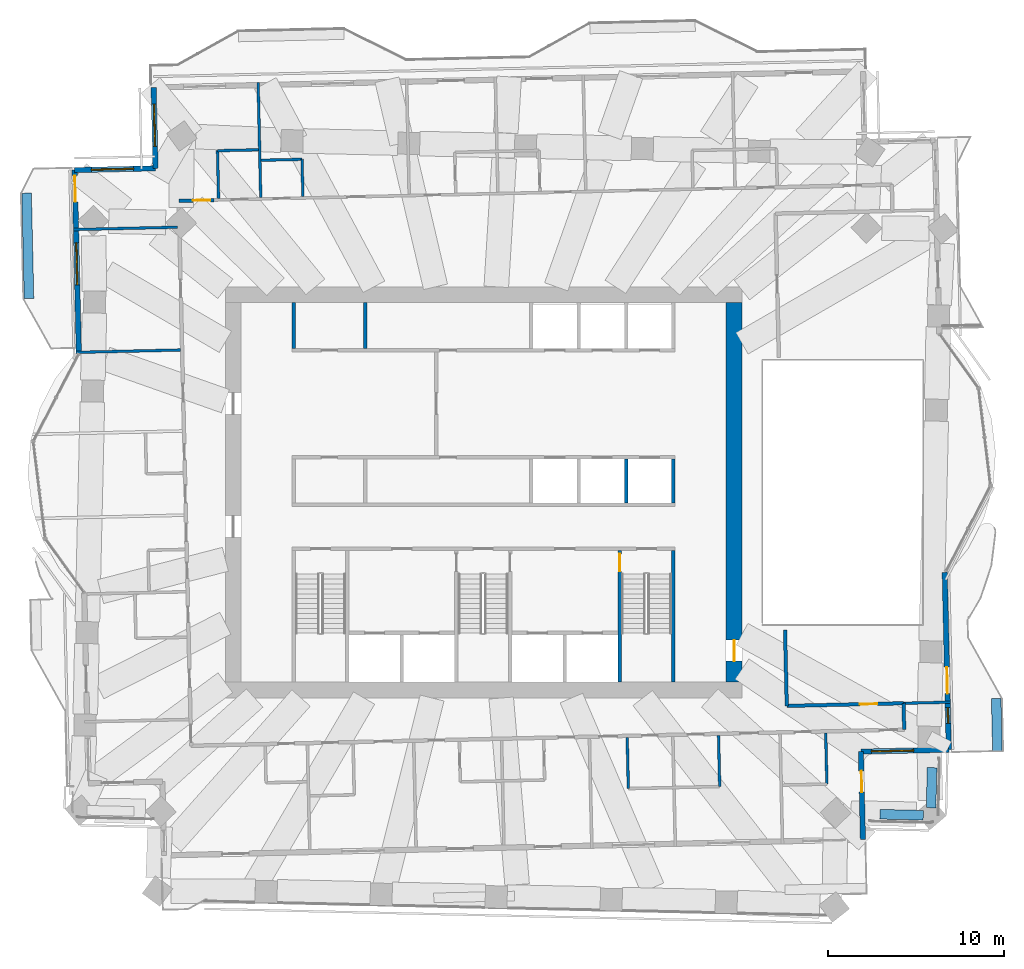
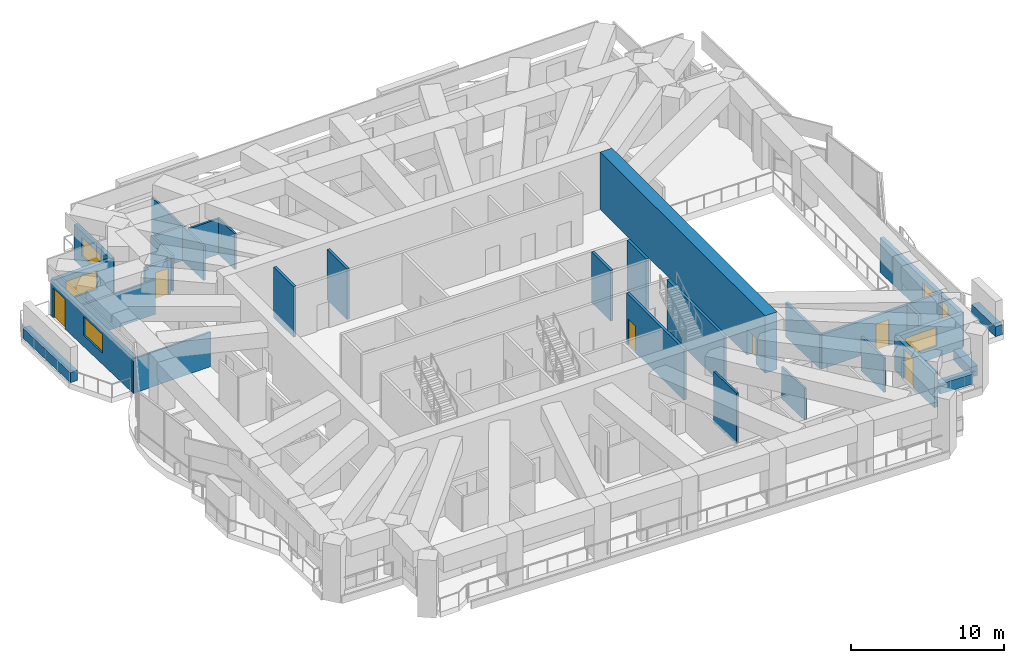
# One storey, part 11 of 17: 32 walls, 7 doors, 5 windows, 12 openings.
"""IFC4 building model written with IfcOpenShell, lengths in metres."""

from ifc_helpers import new_model, si_unit, direction, frame, frame_2d, origin, place, context, subcontext, project, spatial, rectangle, extrude, material, layer, layer_set, type_object, element, fill, save


model = new_model("IFC4")

# Units and contexts
model_context = context("Model", 3, precision=1e-05, world=origin(), true_north=direction((0.0, 1.0)))
body_context = subcontext(model_context, "Body", "Model", "MODEL_VIEW")
ifc_project = project(units=[si_unit("LENGTHUNIT", "METRE"), si_unit("AREAUNIT", "SQUARE_METRE"), si_unit("VOLUMEUNIT", "CUBIC_METRE"), si_unit("PLANEANGLEUNIT", "RADIAN"), si_unit("MASSUNIT", "GRAM", prefix="KILO")], contexts=[model_context])

# Site, building, storey
site_placement = place(None, origin())
site = spatial("IfcSite", under=ifc_project, at=site_placement, CompositionType="ELEMENT")
building_placement = place(site_placement, origin())
building = spatial("IfcBuilding", under=site, at=building_placement, Name="Mangrove Gate Tower", CompositionType="ELEMENT")
storey_placement = place(building_placement, frame((0.0, 0.0, 170.699951171875)))
storey = spatial("IfcBuildingStorey", under=building, at=storey_placement, Name="L43", CompositionType="ELEMENT", Elevation=170.699951171875)

# Walls
ifc_material_1 = material(Name="Concrete C32/40", Category="concrete")
ifc_layer_1 = layer(ifc_material_1, 0.199951171875)
ifc_layer_set_1 = layer_set([ifc_layer_1], Name="Core room wall 200 C32/40")
wall_type_1 = type_object("IfcWallType", Name="Core room wall 200 C32/40", PredefinedType="STANDARD", material=ifc_layer_set_1)
for number, where, z_axis, x_axis, name in (
    (1, (-10.800048828125, 8.199951171875, 0.0), (0.0, 0.0, 1.0), (0.0, 1.0, 0.0), "WALL-L43-CORE-25"),
    (2, (-6.75, 8.199951171875, 0.0), (0.0, 0.0, 1.0), (0.0, 1.0, 0.0), "WALL-L43-CORE-26"),
):
    element("IfcWall", number, at=place(storey_placement, frame(where, z_axis=z_axis, x_axis=x_axis)), inside=storey, type_object=wall_type_1, Name=name, PredefinedType="STANDARD", context=body_context, shape_type="SweptSolid", body=[
        extrude(rectangle(XDim=2.60009765625, YDim=0.199951171875, at=frame_2d((1.300048828125, 0.0))), origin(), (0.0, 0.0, 1.0), 4.050048828125),
    ])
ifc_material_2 = material(Name="Concrete C60/75", Category="concrete")
ifc_layer_2 = layer(ifc_material_2, 0.199951171875)
ifc_layer_set_2 = layer_set([ifc_layer_2], Name="Core shaft wall 200 C60/75")
wall_type_2 = type_object("IfcWallType", Name="Core shaft wall 200 C60/75", PredefinedType="SHEAR", material=ifc_layer_set_2)
for number, where, z_axis, x_axis, name in (
    (3, (8.10009765625, -0.60009765625, 0.0), (0.0, 0.0, 1.0), (0.0, 1.0, 0.0), "WALL-L43-CORE-23"),
    (4, (10.800048828125, -0.60009765625, 0.0), (0.0, 0.0, 1.0), (0.0, 1.0, 0.0), "WALL-L43-CORE-24"),
):
    element("IfcWall", number, at=place(storey_placement, frame(where, z_axis=z_axis, x_axis=x_axis)), inside=storey, type_object=wall_type_2, Name=name, PredefinedType="SHEAR", context=body_context, shape_type="SweptSolid", body=[
        extrude(rectangle(XDim=2.5, YDim=0.199951171875, at=frame_2d((1.25, 0.0))), origin(), (0.0, 0.0, 1.0), 4.050048828125),
    ])

# Wall, opening, door
ifc_material_3 = material(Name="Concrete C60/75", Category="concrete")
ifc_layer_3 = layer(ifc_material_3, 0.199951171875)
ifc_layer_set_3 = layer_set([ifc_layer_3], Name="Core stair wall 200 C60/75")
wall_type_3 = type_object("IfcWallType", Name="Core stair wall 200 C60/75", PredefinedType="SHEAR", material=ifc_layer_set_3)
wall_1_placement = place(storey_placement, frame((7.75, -10.800048828125, 0.0), z_axis=(0.0, 0.0, 1.0), x_axis=(0.0, 1.0, 0.0)))
wall_1 = element("IfcWall", 5, at=wall_1_placement, inside=storey, type_object=wall_type_3, Name="WALL-L43-CORE-13", PredefinedType="SHEAR", context=body_context, shape_type="SweptSolid", body=[
    extrude(rectangle(XDim=7.5, YDim=0.199951171875, at=frame_2d((3.75, 0.0))), origin(), (0.0, 0.0, 1.0), 4.050048828125),
])
opening_1_placement = place(wall_1_placement, frame((6.300048828125, 0.0, 0.0)))
opening_1 = element("IfcOpeningElement", 6, at=opening_1_placement, cuts=wall_1, Name="Opening STD10", PredefinedType="OPENING", context=body_context, shape_type="SweptSolid", body=[
    extrude(rectangle(XDim=1.0, YDim=2.10009765625, at=frame_2d((0.5, 1.050048828125))), frame((0.0, 0.10986328125, 0.0), z_axis=(0.0, -1.0, 0.0), x_axis=(1.0, 0.0, 0.0)), (0.0, 0.0, 1.0), 0.219970703125),
])
ifc_material_4 = material(Name="Fire-rated steel door set", Category="steel")
door_type_1 = type_object("IfcDoorType", Name="Stair door FD60 1000x2100", OperationType="SINGLE_SWING_RIGHT", PredefinedType="DOOR", material=ifc_material_4)
door_1_placement = place(opening_1_placement, origin())
door_1 = element("IfcDoor", 7, at=door_1_placement, inside=storey, type_object=door_type_1, Name="Stair door Stair 3 from fire-fighting lobby", OperationType="SINGLE_SWING_RIGHT", OverallHeight=2.10009765625, OverallWidth=1.0, PredefinedType="DOOR", context=body_context, shape_type="SweptSolid", body=[
    extrude(rectangle(XDim=1.0, YDim=2.10009765625, at=frame_2d((0.5, 1.050048828125))), frame((0.0, 0.02490234375, 0.0), z_axis=(0.0, -1.0, 0.0), x_axis=(1.0, 0.0, 0.0)), (0.0, 0.0, 1.0), 0.050048828125),
])
fill(opening_1, door_1)

# Wall
wall_2_placement = place(storey_placement, frame((10.800048828125, -10.800048828125, 0.0), z_axis=(0.0, 0.0, 1.0), x_axis=(0.0, 1.0, 0.0)))
element("IfcWall", 8, at=wall_2_placement, inside=storey, type_object=wall_type_3, Name="WALL-L43-CORE-14", PredefinedType="SHEAR", context=body_context, shape_type="SweptSolid", body=[
    extrude(rectangle(XDim=7.5, YDim=0.199951171875, at=frame_2d((3.75, 0.0))), origin(), (0.0, 0.0, 1.0), 4.050048828125),
])

# Wall, opening, door
ifc_material_5 = material(Name="Concrete C60/75", Category="concrete")
ifc_layer_4 = layer(ifc_material_5, 0.89990234375)
ifc_layer_set_4 = layer_set([ifc_layer_4], Name="Core wall 900 C60/75")
wall_type_4 = type_object("IfcWallType", Name="Core wall 900 C60/75", PredefinedType="SHEAR", material=ifc_layer_set_4)
wall_3_placement = place(storey_placement, frame((14.25, -10.800048828125, 0.0), z_axis=(0.0, 0.0, 1.0), x_axis=(0.0, 1.0, 0.0)))
wall_3 = element("IfcWall", 9, at=wall_3_placement, inside=storey, type_object=wall_type_4, Name="WALL-L43-CORE-4", PredefinedType="SHEAR", context=body_context, shape_type="SweptSolid", body=[
    extrude(rectangle(XDim=21.60009765625, YDim=0.89990234375, at=frame_2d((10.800048828125, 0.0))), origin(), (0.0, 0.0, 1.0), 4.60009765625),
])
opening_2_placement = place(wall_3_placement, frame((1.199951171875, 0.0, 0.0)))
opening_2 = element("IfcOpeningElement", 10, at=opening_2_placement, cuts=wall_3, Name="Opening CD", PredefinedType="OPENING", context=body_context, shape_type="SweptSolid", body=[
    extrude(rectangle(XDim=1.199951171875, YDim=2.10009765625, at=frame_2d((0.60009765625, 1.050048828125))), frame((0.0, 0.4599609375, 0.0), z_axis=(0.0, -1.0, 0.0), x_axis=(1.0, 0.0, 0.0)), (0.0, 0.0, 1.0), 0.919921875),
])
ifc_material_6 = material(Name="Fire-rated steel door set", Category="steel")
door_type_2 = type_object("IfcDoorType", Name="Core ring door FD60 1200x2100", OperationType="DOUBLE_DOOR_SINGLE_SWING", PredefinedType="DOOR", material=ifc_material_6)
door_2_placement = place(opening_2_placement, origin())
door_2 = element("IfcDoor", 11, at=door_2_placement, inside=storey, type_object=door_type_2, Name="Core ring door E1", OperationType="DOUBLE_DOOR_SINGLE_SWING", OverallHeight=2.10009765625, OverallWidth=1.199951171875, PredefinedType="DOOR", context=body_context, shape_type="SweptSolid", body=[
    extrude(rectangle(XDim=1.199951171875, YDim=2.10009765625, at=frame_2d((0.60009765625, 1.050048828125))), frame((0.0, 0.02490234375, 0.0), z_axis=(0.0, -1.0, 0.0), x_axis=(1.0, 0.0, 0.0)), (0.0, 0.0, 1.0), 0.050048828125),
])
fill(opening_2, door_2)

# Walls
ifc_material_7 = material(Name="Gypsum board on steel stud, EI 60", Category="steel")
ifc_layer_5 = layer(ifc_material_7, 0.199951171875)
ifc_layer_set_5 = layer_set([ifc_layer_5], Name="Corridor wall EI 60")
wall_type_5 = type_object("IfcWallType", Name="Corridor wall EI 60", PredefinedType="PARTITIONING", material=ifc_layer_set_5)
wall_4_placement = place(storey_placement, frame((23.928955078125, -13.4970703125, 0.0), z_axis=(0.0, 0.0, 1.0), x_axis=(-0.022632637625, 0.99974384905, 0.0)))
element("IfcWall", 12, at=wall_4_placement, inside=storey, type_object=wall_type_5, Name="WALL-L43-021", PredefinedType="PARTITIONING", context=body_context, shape_type="SweptSolid", body=[
    extrude(rectangle(XDim=1.49951171875, YDim=0.199951171875, at=frame_2d((0.749755859375, 0.0))), origin(), (0.0, 0.0, 1.0), 2.75),
])
wall_5_placement = place(storey_placement, frame((17.2470703125, -12.14892578125, 0.0), z_axis=(0.0, 0.0, 1.0), x_axis=(-0.022729111383, 0.999741660378, 0.0)))
element("IfcWall", 13, at=wall_5_placement, inside=storey, type_object=wall_type_5, Name="WALL-L43-023", PredefinedType="PARTITIONING", context=body_context, shape_type="SweptSolid", body=[
    extrude(rectangle(XDim=4.318115234375, YDim=0.199951171875, at=frame_2d((2.1591796875, 0.0))), origin(), (0.0, 0.0, 1.0), 2.75),
])

# Wall, opening, door
wall_6_placement = place(storey_placement, frame((17.248046875, -12.14892578125, 0.0), z_axis=(0.0, 0.0, 1.0), x_axis=(0.999742706457, 0.022683052816, 0.0)))
wall_6 = element("IfcWall", 14, at=wall_6_placement, inside=storey, type_object=wall_type_5, Name="WALL-L43-024", PredefinedType="PARTITIONING", context=body_context, shape_type="SweptSolid", body=[
    extrude(rectangle(XDim=6.651611328125, YDim=0.199951171875, at=frame_2d((3.32568359375, 0.0))), origin(), (0.0, 0.0, 1.0), 2.75),
])
opening_3_placement = place(wall_6_placement, frame((4.155029296875, 0.0, 0.0)))
opening_3 = element("IfcOpeningElement", 15, at=opening_3_placement, cuts=wall_6, Name="Opening AD", PredefinedType="OPENING", context=body_context, shape_type="SweptSolid", body=[
    extrude(rectangle(XDim=1.0, YDim=2.10009765625, at=frame_2d((0.5, 1.050048828125))), frame((0.0, 0.10986328125, 0.0), z_axis=(0.0, -1.0, 0.0), x_axis=(1.0, 0.0, 0.0)), (0.0, 0.0, 1.0), 0.219970703125),
])
ifc_material_8 = material(Name="Timber door leaf", Category="wood")
door_type_3 = type_object("IfcDoorType", Name="Amenity door 1000", OperationType="SINGLE_SWING_LEFT", PredefinedType="DOOR", material=ifc_material_8)
door_3_placement = place(opening_3_placement, origin())
door_3 = element("IfcDoor", 16, at=door_3_placement, inside=storey, type_object=door_type_3, Name="DOOR-L43-GAM-c3a", OperationType="SINGLE_SWING_RIGHT", OverallHeight=2.10009765625, OverallWidth=1.0, PredefinedType="DOOR", context=body_context, shape_type="SweptSolid", body=[
    extrude(rectangle(XDim=1.0, YDim=2.10009765625, at=frame_2d((0.5, 1.050048828125))), frame((0.0, 0.02490234375, 0.0), z_axis=(0.0, -1.0, 0.0), x_axis=(1.0, 0.0, 0.0)), (0.0, 0.0, 1.0), 0.050048828125),
])
fill(opening_3, door_3)

wall_7_placement = place(storey_placement, frame((-17.34912109375, 16.593994140625, 0.0), z_axis=(0.0, 0.0, 1.0), x_axis=(0.999748401469, 0.02243064332, 0.0)))
wall_7 = element("IfcWall", 17, at=wall_7_placement, inside=storey, type_object=wall_type_5, Name="WALL-L43-041", PredefinedType="PARTITIONING", context=body_context, shape_type="SweptSolid", body=[
    extrude(rectangle(XDim=2.002685546875, YDim=0.199951171875, at=frame_2d((1.00146484375, 0.0))), origin(), (0.0, 0.0, 1.0), 2.75),
])
opening_4_placement = place(wall_7_placement, frame((0.802001953125, 0.0, 0.0)))
opening_4 = element("IfcOpeningElement", 18, at=opening_4_placement, cuts=wall_7, Name="Opening AD", PredefinedType="OPENING", context=body_context, shape_type="SweptSolid", body=[
    extrude(rectangle(XDim=1.0, YDim=2.10009765625, at=frame_2d((0.5, 1.050048828125))), frame((0.0, 0.10986328125, 0.0), z_axis=(0.0, -1.0, 0.0), x_axis=(1.0, 0.0, 0.0)), (0.0, 0.0, 1.0), 0.219970703125),
])
door_4_placement = place(opening_4_placement, origin())
door_4 = element("IfcDoor", 19, at=door_4_placement, inside=storey, type_object=door_type_3, Name="DOOR-L43-KIT-c5a", OperationType="SINGLE_SWING_LEFT", OverallHeight=2.10009765625, OverallWidth=1.0, PredefinedType="DOOR", context=body_context, shape_type="SweptSolid", body=[
    extrude(rectangle(XDim=1.0, YDim=2.10009765625, at=frame_2d((0.5, 1.050048828125))), frame((0.0, 0.02490234375, 0.0), z_axis=(0.0, -1.0, 0.0), x_axis=(1.0, 0.0, 0.0)), (0.0, 0.0, 1.0), 0.050048828125),
])
fill(opening_4, door_4)

# Wall, openings, door, window
ifc_material_9 = material(Name="Limestone", Category="masonry")
ifc_layer_6 = layer(ifc_material_9, 0.0400390625, Name="Limestone cladding")
ifc_material_10 = material(Name="Ventilated air gap")
ifc_layer_7 = layer(ifc_material_10, 0.0400390625, Name="Ventilated cavity")
ifc_material_11 = material(Name="Mineral wool insulation")
ifc_layer_8 = layer(ifc_material_11, 0.06005859375, Name="Insulation")
ifc_material_12 = material(Name="Breather membrane")
ifc_layer_9 = layer(ifc_material_12, 0.001953125, Name="Breather membrane")
ifc_material_13 = material(Name="Concrete C20/25 blockwork", Category="masonry")
ifc_layer_10 = layer(ifc_material_13, 0.14990234375, Name="Blockwork backing wall")
ifc_material_14 = material(Name="Gypsum plaster")
ifc_layer_11 = layer(ifc_material_14, 0.008056640625, Name="Internal plaster")
ifc_layer_set_6 = layer_set([ifc_layer_6, ifc_layer_7, ifc_layer_8, ifc_layer_9, ifc_layer_10, ifc_layer_11], Name="External wall 300 limestone cladding")
wall_type_6 = type_object("IfcWallType", Name="External wall 300 limestone cladding", PredefinedType="SOLIDWALL", material=ifc_layer_set_6)
wall_8_placement = place(storey_placement, frame((26.466064453125, -14.639892578125, 0.0), z_axis=(0.0, 0.0, 1.0), x_axis=(-0.022773576062, 0.999740648485, 0.0)))
wall_8 = element("IfcWall", 20, at=wall_8_placement, inside=storey, type_object=wall_type_6, Name="WALL-L43-E0", PredefinedType="SOLIDWALL", context=body_context, shape_type="SweptSolid", body=[
    extrude(rectangle(XDim=10.0986328125, YDim=0.300048828125, at=frame_2d((5.04931640625, 0.0))), origin(), (0.0, 0.0, 1.0), 2.75),
])
opening_5_placement = place(wall_8_placement, frame((1.493896484375, 0.0, 0.89990234375)))
opening_5 = element("IfcOpeningElement", 21, at=opening_5_placement, cuts=wall_8, Name="Opening W5", PredefinedType="OPENING", context=body_context, shape_type="SweptSolid", body=[
    extrude(rectangle(XDim=0.89990234375, YDim=1.5, at=frame_2d((0.449951171875, 0.75))), frame((0.0, 0.159912109375, 0.0), z_axis=(0.0, -1.0, 0.0), x_axis=(1.0, 0.0, 0.0)), (0.0, 0.0, 1.0), 0.320068359375),
])
opening_6_placement = place(wall_8_placement, frame((3.195068359375, 0.0, 0.0)))
opening_6 = element("IfcOpeningElement", 22, at=opening_6_placement, cuts=wall_8, Name="Opening BD1", PredefinedType="OPENING", context=body_context, shape_type="SweptSolid", body=[
    extrude(rectangle(XDim=1.5, YDim=2.39990234375, at=frame_2d((0.75, 1.199951171875))), frame((0.0, 0.159912109375, 0.0), z_axis=(0.0, -1.0, 0.0), x_axis=(1.0, 0.0, 0.0)), (0.0, 0.0, 1.0), 0.320068359375),
])
ifc_material_15 = material(Name="Aluminium frame with laminated clear glass", Category="aluminium")
door_type_4 = type_object("IfcDoorType", Name="Balcony sliding door 1500x2400", OperationType="SLIDING_TO_LEFT", PredefinedType="DOOR", material=ifc_material_15)
door_5_placement = place(opening_6_placement, origin())
door_5 = element("IfcDoor", 23, at=door_5_placement, inside=storey, type_object=door_type_4, Name="DOOR-L43-E0-2", OperationType="SLIDING_TO_LEFT", OverallHeight=2.39990234375, OverallWidth=1.5, PredefinedType="DOOR", context=body_context, shape_type="SweptSolid", body=[
    extrude(rectangle(XDim=1.5, YDim=2.39990234375, at=frame_2d((0.75, 1.199951171875))), frame((0.0, 0.02490234375, 0.0), z_axis=(0.0, -1.0, 0.0), x_axis=(1.0, 0.0, 0.0)), (0.0, 0.0, 1.0), 0.050048828125),
])
fill(opening_6, door_5)
ifc_material_16 = material(Name="Aluminium frame with double-glazed low-e glass", Category="aluminium")
window_type_1 = type_object("IfcWindowType", Name="Narrow window 900x1500", PartitioningType="SINGLE_PANEL", PredefinedType="WINDOW", material=ifc_material_16)
window_1_placement = place(opening_5_placement, origin())
window_1 = element("IfcWindow", 24, at=window_1_placement, inside=storey, type_object=window_type_1, Name="WIN-L43-E0-1", OverallHeight=1.5, OverallWidth=0.89990234375, PartitioningType="SINGLE_PANEL", PredefinedType="WINDOW", context=body_context, shape_type="SweptSolid", body=[
    extrude(rectangle(XDim=0.89990234375, YDim=1.5, at=frame_2d((0.449951171875, 0.75))), frame((0.0, 0.030029296875, 0.0), z_axis=(0.0, -1.0, 0.0), x_axis=(1.0, 0.0, 0.0)), (0.0, 0.0, 1.0), 0.06005859375),
])
fill(opening_5, window_1)

# Wall, opening, window
wall_9_placement = place(storey_placement, frame((-18.781005859375, 23.04296875, 0.0), z_axis=(0.0, 0.0, 1.0), x_axis=(0.022821468877, -0.999739556364, 0.0)))
wall_9 = element("IfcWall", 25, at=wall_9_placement, inside=storey, type_object=wall_type_6, Name="WALL-L43-W6", PredefinedType="SOLIDWALL", context=body_context, shape_type="SweptSolid", body=[
    extrude(rectangle(XDim=4.60009765625, YDim=0.300048828125, at=frame_2d((2.300048828125, 0.0))), origin(), (0.0, 0.0, 1.0), 2.85009765625),
])
opening_7_placement = place(wall_9_placement, frame((0.949951171875, 0.0, 0.89990234375)))
opening_7 = element("IfcOpeningElement", 26, at=opening_7_placement, cuts=wall_9, Name="Opening W2", PredefinedType="OPENING", context=body_context, shape_type="SweptSolid", body=[
    extrude(rectangle(XDim=2.39990234375, YDim=1.5, at=frame_2d((1.199951171875, 0.75))), frame((0.0, 0.159912109375, 0.0), z_axis=(0.0, -1.0, 0.0), x_axis=(1.0, 0.0, 0.0)), (0.0, 0.0, 1.0), 0.320068359375),
])
ifc_material_17 = material(Name="Aluminium frame with double-glazed low-e glass", Category="aluminium")
window_type_2 = type_object("IfcWindowType", Name="Corner room window 2400x1500", PartitioningType="DOUBLE_PANEL_VERTICAL", PredefinedType="WINDOW", material=ifc_material_17)
window_2_placement = place(opening_7_placement, origin())
window_2 = element("IfcWindow", 27, at=window_2_placement, inside=storey, type_object=window_type_2, Name="WIN-L43-W6-1", OverallHeight=1.5, OverallWidth=2.39990234375, PartitioningType="DOUBLE_PANEL_VERTICAL", PredefinedType="WINDOW", context=body_context, shape_type="SweptSolid", body=[
    extrude(rectangle(XDim=2.39990234375, YDim=1.5, at=frame_2d((1.199951171875, 0.75))), frame((0.0, 0.030029296875, 0.0), z_axis=(0.0, -1.0, 0.0), x_axis=(1.0, 0.0, 0.0)), (0.0, 0.0, 1.0), 0.06005859375),
])
fill(opening_7, window_2)

wall_10_placement = place(storey_placement, frame((-18.676025390625, 18.444091796875, 0.0), z_axis=(0.0, 0.0, 1.0), x_axis=(-0.999744377441, -0.022609285172, 0.0)))
wall_10 = element("IfcWall", 28, at=wall_10_placement, inside=storey, type_object=wall_type_6, Name="WALL-L43-N7", PredefinedType="SOLIDWALL", context=body_context, shape_type="SweptSolid", body=[
    extrude(rectangle(XDim=4.60009765625, YDim=0.300048828125, at=frame_2d((2.300048828125, 0.0))), origin(), (0.0, 0.0, 1.0), 2.85009765625),
])
opening_8_placement = place(wall_10_placement, frame((1.25, 0.0, 0.89990234375)))
opening_8 = element("IfcOpeningElement", 29, at=opening_8_placement, cuts=wall_10, Name="Opening W2", PredefinedType="OPENING", context=body_context, shape_type="SweptSolid", body=[
    extrude(rectangle(XDim=2.39990234375, YDim=1.5, at=frame_2d((1.199951171875, 0.75))), frame((0.0, 0.159912109375, 0.0), z_axis=(0.0, -1.0, 0.0), x_axis=(1.0, 0.0, 0.0)), (0.0, 0.0, 1.0), 0.320068359375),
])
window_3_placement = place(opening_8_placement, origin())
window_3 = element("IfcWindow", 30, at=window_3_placement, inside=storey, type_object=window_type_2, Name="WIN-L43-N7-1", OverallHeight=1.5, OverallWidth=2.39990234375, PartitioningType="DOUBLE_PANEL_VERTICAL", PredefinedType="WINDOW", context=body_context, shape_type="SweptSolid", body=[
    extrude(rectangle(XDim=2.39990234375, YDim=1.5, at=frame_2d((1.199951171875, 0.75))), frame((0.0, 0.030029296875, 0.0), z_axis=(0.0, -1.0, 0.0), x_axis=(1.0, 0.0, 0.0)), (0.0, 0.0, 1.0), 0.06005859375),
])
fill(opening_8, window_3)

# Wall, openings, door, window
wall_11_placement = place(storey_placement, frame((-23.27490234375, 18.340087890625, 0.0), z_axis=(0.0, 0.0, 1.0), x_axis=(0.022705985163, -0.999742185885, 0.0)))
wall_11 = element("IfcWall", 31, at=wall_11_placement, inside=storey, type_object=wall_type_6, Name="WALL-L43-W8", PredefinedType="SOLIDWALL", context=body_context, shape_type="SweptSolid", body=[
    extrude(rectangle(XDim=10.4296875, YDim=0.300048828125, at=frame_2d((5.21484375, 0.0))), origin(), (0.0, 0.0, 1.0), 2.85009765625),
])
opening_9_placement = place(wall_11_placement, frame((0.31201171875, 0.0, 0.0)))
opening_9 = element("IfcOpeningElement", 32, at=opening_9_placement, cuts=wall_11, Name="Opening BD1", PredefinedType="OPENING", context=body_context, shape_type="SweptSolid", body=[
    extrude(rectangle(XDim=1.5, YDim=2.39990234375, at=frame_2d((0.75, 1.199951171875))), frame((0.0, 0.159912109375, 0.0), z_axis=(0.0, -1.0, 0.0), x_axis=(1.0, 0.0, 0.0)), (0.0, 0.0, 1.0), 0.320068359375),
])
opening_10_placement = place(wall_11_placement, frame((4.135986328125, 0.0, 0.89990234375)))
opening_10 = element("IfcOpeningElement", 33, at=opening_10_placement, cuts=wall_11, Name="Opening W2", PredefinedType="OPENING", context=body_context, shape_type="SweptSolid", body=[
    extrude(rectangle(XDim=2.39990234375, YDim=1.5, at=frame_2d((1.199951171875, 0.75))), frame((0.0, 0.159912109375, 0.0), z_axis=(0.0, -1.0, 0.0), x_axis=(1.0, 0.0, 0.0)), (0.0, 0.0, 1.0), 0.320068359375),
])
door_6_placement = place(opening_9_placement, origin())
door_6 = element("IfcDoor", 34, at=door_6_placement, inside=storey, type_object=door_type_4, Name="DOOR-L43-W8-1", OperationType="SLIDING_TO_LEFT", OverallHeight=2.39990234375, OverallWidth=1.5, PredefinedType="DOOR", context=body_context, shape_type="SweptSolid", body=[
    extrude(rectangle(XDim=1.5, YDim=2.39990234375, at=frame_2d((0.75, 1.199951171875))), frame((0.0, 0.02490234375, 0.0), z_axis=(0.0, -1.0, 0.0), x_axis=(1.0, 0.0, 0.0)), (0.0, 0.0, 1.0), 0.050048828125),
])
fill(opening_9, door_6)
window_4_placement = place(opening_10_placement, origin())
window_4 = element("IfcWindow", 35, at=window_4_placement, inside=storey, type_object=window_type_2, Name="WIN-L43-W8-2", OverallHeight=1.5, OverallWidth=2.39990234375, PartitioningType="DOUBLE_PANEL_VERTICAL", PredefinedType="WINDOW", context=body_context, shape_type="SweptSolid", body=[
    extrude(rectangle(XDim=2.39990234375, YDim=1.5, at=frame_2d((1.199951171875, 0.75))), frame((0.0, 0.030029296875, 0.0), z_axis=(0.0, -1.0, 0.0), x_axis=(1.0, 0.0, 0.0)), (0.0, 0.0, 1.0), 0.06005859375),
])
fill(opening_10, window_4)

# Wall, opening, door
wall_12_placement = place(storey_placement, frame((21.5810546875, -19.751953125, 0.0), z_axis=(0.0, 0.0, 1.0), x_axis=(-0.022801259434, 0.999740017489, 0.0)))
wall_12 = element("IfcWall", 36, at=wall_12_placement, inside=storey, type_object=wall_type_6, Name="WALL-L43-E14", PredefinedType="SOLIDWALL", context=body_context, shape_type="SweptSolid", body=[
    extrude(rectangle(XDim=5.000244140625, YDim=0.300048828125, at=frame_2d((2.5, 0.0))), origin(), (0.0, 0.0, 1.0), 2.75),
])
opening_11_placement = place(wall_12_placement, frame((2.699951171875, 0.0, 0.0)))
opening_11 = element("IfcOpeningElement", 37, at=opening_11_placement, cuts=wall_12, Name="Opening BD2", PredefinedType="OPENING", context=body_context, shape_type="SweptSolid", body=[
    extrude(rectangle(XDim=1.199951171875, YDim=2.39990234375, at=frame_2d((0.60009765625, 1.199951171875))), frame((0.0, 0.159912109375, 0.0), z_axis=(0.0, -1.0, 0.0), x_axis=(1.0, 0.0, 0.0)), (0.0, 0.0, 1.0), 0.320068359375),
])
ifc_material_18 = material(Name="Aluminium frame with laminated clear glass", Category="aluminium")
door_type_5 = type_object("IfcDoorType", Name="Balcony sliding door 1200x2400", OperationType="SLIDING_TO_LEFT", PredefinedType="DOOR", material=ifc_material_18)
door_7_placement = place(opening_11_placement, origin())
door_7 = element("IfcDoor", 38, at=door_7_placement, inside=storey, type_object=door_type_5, Name="DOOR-L43-E14-1", OperationType="SLIDING_TO_LEFT", OverallHeight=2.39990234375, OverallWidth=1.199951171875, PredefinedType="DOOR", context=body_context, shape_type="SweptSolid", body=[
    extrude(rectangle(XDim=1.199951171875, YDim=2.39990234375, at=frame_2d((0.60009765625, 1.199951171875))), frame((0.0, 0.02490234375, 0.0), z_axis=(0.0, -1.0, 0.0), x_axis=(1.0, 0.0, 0.0)), (0.0, 0.0, 1.0), 0.050048828125),
])
fill(opening_11, door_7)

# Wall, opening, window
wall_13_placement = place(storey_placement, frame((21.467041015625, -14.7529296875, 0.0), z_axis=(0.0, 0.0, 1.0), x_axis=(0.999744450377, 0.022606059803, 0.0)))
wall_13 = element("IfcWall", 39, at=wall_13_placement, inside=storey, type_object=wall_type_6, Name="WALL-L43-S15", PredefinedType="SOLIDWALL", context=body_context, shape_type="SweptSolid", body=[
    extrude(rectangle(XDim=5.000244140625, YDim=0.300048828125, at=frame_2d((2.5, 0.0))), origin(), (0.0, 0.0, 1.0), 2.75),
])
opening_12_placement = place(wall_13_placement, frame((0.594970703125, 0.0, 0.89990234375)))
opening_12 = element("IfcOpeningElement", 40, at=opening_12_placement, cuts=wall_13, Name="Opening W2", PredefinedType="OPENING", context=body_context, shape_type="SweptSolid", body=[
    extrude(rectangle(XDim=2.39990234375, YDim=1.5, at=frame_2d((1.199951171875, 0.75))), frame((0.0, 0.159912109375, 0.0), z_axis=(0.0, -1.0, 0.0), x_axis=(1.0, 0.0, 0.0)), (0.0, 0.0, 1.0), 0.320068359375),
])
window_5_placement = place(opening_12_placement, origin())
window_5 = element("IfcWindow", 41, at=window_5_placement, inside=storey, type_object=window_type_2, Name="WIN-L43-S15-1", OverallHeight=1.5, OverallWidth=2.39990234375, PartitioningType="DOUBLE_PANEL_VERTICAL", PredefinedType="WINDOW", context=body_context, shape_type="SweptSolid", body=[
    extrude(rectangle(XDim=2.39990234375, YDim=1.5, at=frame_2d((1.199951171875, 0.75))), frame((0.0, 0.030029296875, 0.0), z_axis=(0.0, -1.0, 0.0), x_axis=(1.0, 0.0, 0.0)), (0.0, 0.0, 1.0), 0.06005859375),
])
fill(opening_12, window_5)

# Walls
ifc_material_19 = material(Name="Gypsum board on steel stud, EI 60", Category="steel")
ifc_layer_12 = layer(ifc_material_19, 0.14990234375)
ifc_layer_set_7 = layer_set([ifc_layer_12], Name="Party wall 150 EI 60")
wall_type_7 = type_object("IfcWallType", Name="Party wall 150 EI 60", PredefinedType="PARTITIONING", material=ifc_layer_set_7)
wall_14_placement = place(storey_placement, frame((8.23193359375, -16.85400390625, 0.0), z_axis=(0.0, 0.0, 1.0), x_axis=(-0.022732880677, 0.999741574676, 0.0)))
element("IfcWall", 42, at=wall_14_placement, inside=storey, type_object=wall_type_7, Name="WALL-L43-010", PredefinedType="PARTITIONING", context=body_context, shape_type="SweptSolid", body=[
    extrude(rectangle(XDim=2.899658203125, YDim=0.14990234375, at=frame_2d((1.44970703125, 0.0))), origin(), (0.0, 0.0, 1.0), 4.050048828125),
])
wall_15_placement = place(storey_placement, frame((13.429931640625, -16.736083984375, 0.0), z_axis=(0.0, 0.0, 1.0), x_axis=(-0.022730967319, 0.999741618182, 0.0)))
element("IfcWall", 43, at=wall_15_placement, inside=storey, type_object=wall_type_7, Name="WALL-L43-011", PredefinedType="PARTITIONING", context=body_context, shape_type="SweptSolid", body=[
    extrude(rectangle(XDim=2.89990234375, YDim=0.14990234375, at=frame_2d((1.449951171875, 0.0))), origin(), (0.0, 0.0, 1.0), 2.550048828125),
])
wall_16_placement = place(storey_placement, frame((19.529052734375, -16.597900390625, 0.0), z_axis=(0.0, 0.0, 1.0), x_axis=(-0.022817032779, 0.999739657619, 0.0)))
element("IfcWall", 44, at=wall_16_placement, inside=storey, type_object=wall_type_7, Name="WALL-L43-013", PredefinedType="PARTITIONING", context=body_context, shape_type="SweptSolid", body=[
    extrude(rectangle(XDim=2.899658203125, YDim=0.14990234375, at=frame_2d((1.44970703125, 0.0))), origin(), (0.0, 0.0, 1.0), 2.75),
])
wall_17_placement = place(storey_placement, frame((23.89404296875, -11.998046875, 0.0), z_axis=(0.0, 0.0, 1.0), x_axis=(0.9997370305, 0.022931852246, 0.0)))
element("IfcWall", 45, at=wall_17_placement, inside=storey, type_object=wall_type_7, Name="WALL-L43-025", PredefinedType="PARTITIONING", context=body_context, shape_type="SweptSolid", body=[
    extrude(rectangle(XDim=2.66162109375, YDim=0.14990234375, at=frame_2d((1.330810546875, 0.0))), origin(), (0.0, 0.0, 1.0), 2.75),
])
wall_18_placement = place(storey_placement, frame((-23.18994140625, 7.968994140625, 0.0), z_axis=(0.0, 0.0, 1.0), x_axis=(0.999741261868, 0.022746633113, 0.0)))
element("IfcWall", 46, at=wall_18_placement, inside=storey, type_object=wall_type_7, Name="WALL-L43-036", PredefinedType="PARTITIONING", context=body_context, shape_type="SweptSolid", body=[
    extrude(rectangle(XDim=5.935302734375, YDim=0.14990234375, at=frame_2d((2.9677734375, 0.0))), origin(), (0.0, 0.0, 1.0), 2.75),
])
wall_19_placement = place(storey_placement, frame((-23.347900390625, 14.95703125, 0.0), z_axis=(0.0, 0.0, 1.0), x_axis=(0.999741176717, 0.022750375323, 0.0)))
element("IfcWall", 47, at=wall_19_placement, inside=storey, type_object=wall_type_7, Name="WALL-L43-037", PredefinedType="PARTITIONING", context=body_context, shape_type="SweptSolid", body=[
    extrude(rectangle(XDim=5.934326171875, YDim=0.14990234375, at=frame_2d((2.96728515625, 0.0))), origin(), (0.0, 0.0, 1.0), 2.75),
])
wall_20_placement = place(storey_placement, frame((-15.0859375, 16.72412109375, 0.0), z_axis=(0.0, 0.0, 1.0), x_axis=(-0.022751926344, 0.99974114142, 0.0)))
element("IfcWall", 48, at=wall_20_placement, inside=storey, type_object=wall_type_7, Name="WALL-L43-044", PredefinedType="PARTITIONING", context=body_context, shape_type="SweptSolid", body=[
    extrude(rectangle(XDim=2.7255859375, YDim=0.14990234375, at=frame_2d((1.36279296875, 0.0))), origin(), (0.0, 0.0, 1.0), 2.85009765625),
])
wall_21_placement = place(storey_placement, frame((-12.68701171875, 16.779052734375, 0.0), z_axis=(0.0, 0.0, 1.0), x_axis=(-0.022734951231, 0.999741527592, 0.0)))
element("IfcWall", 49, at=wall_21_placement, inside=storey, type_object=wall_type_7, Name="WALL-L43-045", PredefinedType="PARTITIONING", context=body_context, shape_type="SweptSolid", body=[
    extrude(rectangle(XDim=6.550537109375, YDim=0.14990234375, at=frame_2d((3.275390625, 0.0))), origin(), (0.0, 0.0, 1.0), 2.75),
])
wall_22_placement = place(storey_placement, frame((-10.2880859375, 16.8330078125, 0.0), z_axis=(0.0, 0.0, 1.0), x_axis=(-0.02251267524, 0.99974655761, 0.0)))
element("IfcWall", 50, at=wall_22_placement, inside=storey, type_object=wall_type_7, Name="WALL-L43-046", PredefinedType="PARTITIONING", context=body_context, shape_type="SweptSolid", body=[
    extrude(rectangle(XDim=2.12548828125, YDim=0.14990234375, at=frame_2d((1.062744140625, 0.0))), origin(), (0.0, 0.0, 1.0), 2.85009765625),
])
wall_23_placement = place(storey_placement, frame((-12.659912109375, 18.90087890625, 0.0), z_axis=(0.0, 0.0, 1.0), x_axis=(0.999737862264, 0.022895561926, 0.0)))
element("IfcWall", 51, at=wall_23_placement, inside=storey, type_object=wall_type_7, Name="WALL-L43-055", PredefinedType="PARTITIONING", context=body_context, shape_type="SweptSolid", body=[
    extrude(rectangle(XDim=2.324462890625, YDim=0.14990234375, at=frame_2d((1.162109375, 0.0))), origin(), (0.0, 0.0, 1.0), 2.85009765625),
])
wall_24_placement = place(storey_placement, frame((-15.14794921875, 19.445068359375, 0.0), z_axis=(0.0, 0.0, 1.0), x_axis=(0.999749744571, 0.022370700241, 0.0)))
element("IfcWall", 52, at=wall_24_placement, inside=storey, type_object=wall_type_7, Name="WALL-L43-058", PredefinedType="PARTITIONING", context=body_context, shape_type="SweptSolid", body=[
    extrude(rectangle(XDim=2.324462890625, YDim=0.14990234375, at=frame_2d((1.162109375, 0.0))), origin(), (0.0, 0.0, 1.0), 2.75),
])
ifc_material_20 = material(Name="Concrete C32/40", Category="concrete")
ifc_layer_13 = layer(ifc_material_20, 0.199951171875, Name="Planter trough wall")
ifc_material_21 = material(Name="Bituminous waterproofing membrane")
ifc_layer_14 = layer(ifc_material_21, 0.0048828125, Name="Waterproofing")
ifc_material_22 = material(Name="Drainage board and gravel")
ifc_layer_15 = layer(ifc_material_22, 0.044921875, Name="Drainage layer")
ifc_material_23 = material(Name="Planting soil")
ifc_layer_16 = layer(ifc_material_23, 0.300048828125, Name="Growing medium")
ifc_layer_set_8 = layer_set([ifc_layer_13, ifc_layer_14, ifc_layer_15, ifc_layer_16], Name="Planter wall 550 C32/40")
wall_type_8 = type_object("IfcWallType", Name="Planter wall 550 C32/40", PredefinedType="USERDEFINED", material=ifc_layer_set_8)
wall_25_placement = place(storey_placement, frame((29.23388671875, -14.72705078125, 0.0), z_axis=(0.0, 0.0, 1.0), x_axis=(-0.022625271604, 0.999744015778, 0.0)))
element("IfcWall", 53, at=wall_25_placement, inside=storey, type_object=wall_type_8, Name="PLANTER L43 E0.1", ObjectType="PLANTER", PredefinedType="USERDEFINED", context=body_context, shape_type="SweptSolid", body=[
    extrude(rectangle(XDim=2.999755859375, YDim=0.550048828125, at=frame_2d((1.5, 0.0))), origin(), (0.0, 0.0, 1.0), 0.800048828125),
])
wall_26_placement = place(storey_placement, frame((-25.875, 11.029052734375, 0.0), z_axis=(0.0, 0.0, 1.0), x_axis=(-0.022665943652, 0.999743094499, 0.0)))
element("IfcWall", 54, at=wall_26_placement, inside=storey, type_object=wall_type_8, Name="PLANTER L43 W0.1", ObjectType="PLANTER", PredefinedType="USERDEFINED", context=body_context, shape_type="SweptSolid", body=[
    extrude(rectangle(XDim=5.99951171875, YDim=0.550048828125, at=frame_2d((2.999755859375, 0.0))), origin(), (0.0, 0.0, 1.0), 0.800048828125),
])
wall_27_placement = place(storey_placement, frame((25.01708984375, -18.37109375, 0.0), z_axis=(0.0, 0.0, 1.0), x_axis=(-0.999733308565, 0.023093543357, 0.0)))
element("IfcWall", 55, at=wall_27_placement, inside=storey, type_object=wall_type_8, Name="PLANTER L43 T2.1.6", ObjectType="PLANTER", PredefinedType="USERDEFINED", context=body_context, shape_type="SweptSolid", body=[
    extrude(rectangle(XDim=2.473876953125, YDim=0.550048828125, at=frame_2d((1.23681640625, 0.0))), origin(), (0.0, 0.0, 1.0), 0.800048828125),
])
wall_28_placement = place(storey_placement, frame((25.512939453125, -15.6650390625, 0.0), z_axis=(0.0, 0.0, 1.0), x_axis=(-0.022791894382, -0.999740231035, 0.0)))
element("IfcWall", 56, at=wall_28_placement, inside=storey, type_object=wall_type_8, Name="PLANTER L43 T2.2.6", ObjectType="PLANTER", PredefinedType="USERDEFINED", context=body_context, shape_type="SweptSolid", body=[
    extrude(rectangle(XDim=2.281494140625, YDim=0.550048828125, at=frame_2d((1.140625, 0.0))), origin(), (0.0, 0.0, 1.0), 0.800048828125),
])

save(model, "model.ifc")
